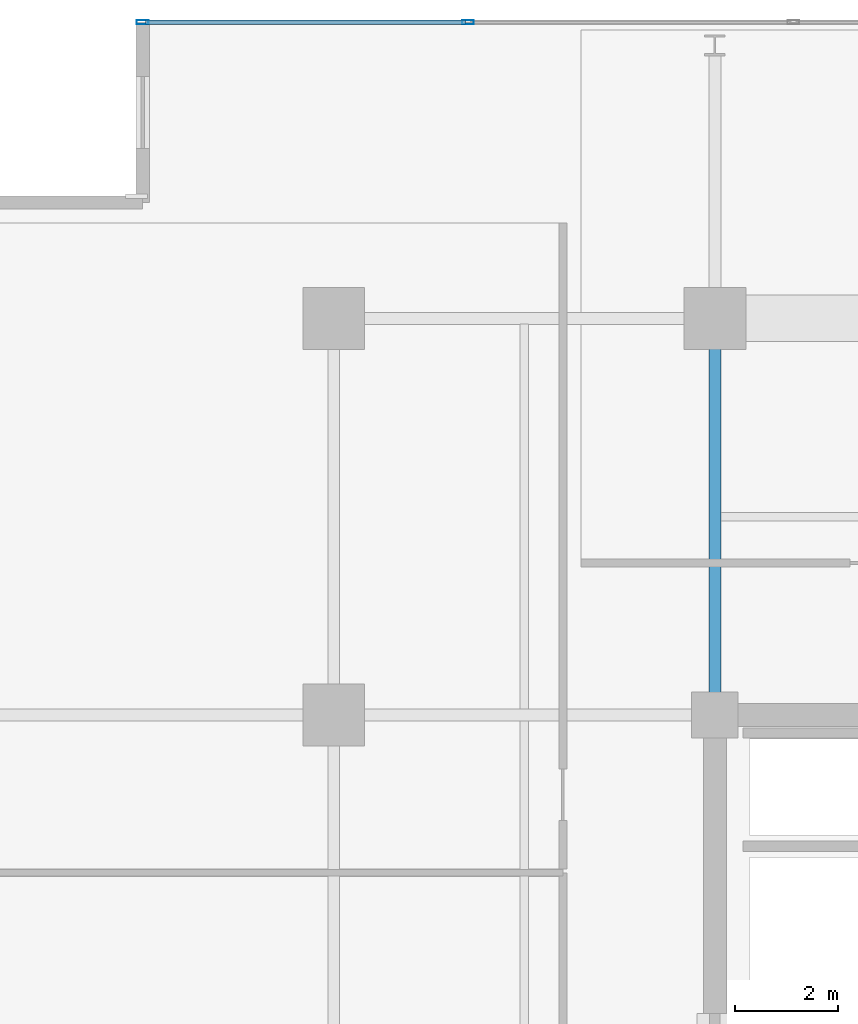
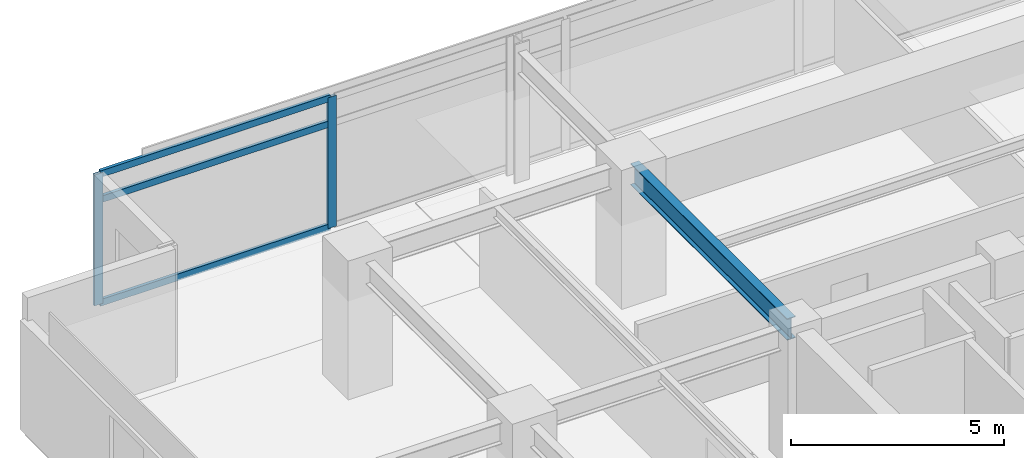
# One storey, part 9 of 24: 5 members, 1 beam, 1 element without a shape of its own.
"""IFC4 building model written with IfcOpenShell, lengths in metres."""

from ifc_helpers import new_model, si_unit, direction, frame, origin, origin_2d, place, context, subcontext, project, spatial, hollow_rectangle, i_section, extrude, material, material_profile, profile_set, type_object, element, aggregate, save


model = new_model("IFC4")

# Units and contexts
model_context = context("Model", 3, precision=1e-05, world=origin(), true_north=direction((0.0, 1.0)))
body_context = subcontext(model_context, "Body", "Model", "MODEL_VIEW")
ifc_project = project(units=[si_unit("LENGTHUNIT", "METRE"), si_unit("AREAUNIT", "SQUARE_METRE"), si_unit("VOLUMEUNIT", "CUBIC_METRE"), si_unit("PLANEANGLEUNIT", "RADIAN"), si_unit("MASSUNIT", "GRAM", prefix="KILO")], contexts=[model_context])

# Site, building, storey
site_placement = place(None, origin())
site = spatial("IfcSite", under=ifc_project, at=site_placement, CompositionType="ELEMENT")
building_placement = place(site_placement, origin())
building = spatial("IfcBuilding", under=site, at=building_placement, Name="Kovane Verandah Tower", CompositionType="ELEMENT")
storey_placement = place(building_placement, frame((0.0, 0.0, 271.199951171875)))
storey = spatial("IfcBuildingStorey", under=building, at=storey_placement, Name="L63", CompositionType="ELEMENT", Elevation=271.199951171875)

# Beam
ifc_material_1 = material(Name="Steel S355", Category="steel")
ifc_material_profile_1 = material_profile(ifc_material_1, i_section(OverallWidth=0.230224609375, OverallDepth=0.6171875, WebThickness=0.01318359375, FlangeThickness=0.022216796875, FilletRadius=0.0126953125, at=origin_2d()), Name="UB610x229x140")
ifc_profile_set_1 = profile_set([ifc_material_profile_1], Name="Steel S355")
beam_type = type_object("IfcBeamType", Name="BM-UB610x140", PredefinedType="BEAM", material=ifc_profile_set_1)
beam_placement = place(storey_placement, frame((29.0, 36.679931640625, 3.4765625), z_axis=(0.0, 1.0, 0.0), x_axis=(-1.0, 0.0, 0.0)))
element("IfcBeam", 1, at=beam_placement, inside=storey, type_object=beam_type, Name="L63 Primary Tower Girder G-N1", PredefinedType="BEAM", context=body_context, shape_type="SweptSolid", body=[
    extrude(i_section(OverallWidth=0.230224609375, OverallDepth=0.6171875, WebThickness=0.01318359375, FlangeThickness=0.022216796875, FilletRadius=0.0126953125, at=origin_2d()), origin(), (0.0, 0.0, 1.0), 7.340087890625),
])

# Curtain wall, members
ifc_material_2 = material(Name="Champagne Anodised Aluminium Frame with Low-E Clear Laminated Glass", Category="aluminium")
curtain_wall_type = type_object("IfcCurtainWallType", Name="CW-SYS-05-HIGH", PredefinedType="NOTDEFINED", material=ifc_material_2)
curtain_wall_placement = place(storey_placement, origin())
curtain_wall = element("IfcCurtainWall", 2, at=curtain_wall_placement, inside=storey, type_object=curtain_wall_type, Name="L63 N Unitised Curtain Wall", PredefinedType="NOTDEFINED")
ifc_material_3 = material(Name="Champagne Anodised Aluminium 6063-T6", Category="aluminium")
ifc_material_profile_2 = material_profile(ifc_material_3, hollow_rectangle(XDim=0.0849609375, YDim=0.22998046875, WallThickness=0.00390625, at=origin_2d()), Name="AL85x230x4")
ifc_profile_set_2 = profile_set([ifc_material_profile_2], Name="Champagne Anodised Aluminium 6063-T6")
member_type_1 = type_object("IfcMemberType", Name="CW-MUL-85x230", PredefinedType="MULLION", material=ifc_profile_set_2)
member_1_placement = place(storey_placement, frame((24.208984375, 49.94970703125, 0.02001953125), z_axis=(0.0, 0.0, 1.0), x_axis=(0.0, 1.0, 0.0)))
member_1 = element("IfcMember", 3, at=member_1_placement, type_object=member_type_1, Name="L63 N Unitised Curtain Wall Mullion 7", PredefinedType="MULLION", context=body_context, shape_type="SweptSolid", body=[
    extrude(hollow_rectangle(XDim=0.0849609375, YDim=0.22998046875, WallThickness=0.00390625, at=origin_2d()), origin(), (0.0, 0.0, 1.0), 3.7451171875),
])
member_2_placement = place(storey_placement, frame((17.892822265625, 49.94970703125, 0.02001953125), z_axis=(0.0, 0.0, 1.0), x_axis=(0.0, 1.0, 0.0)))
member_2 = element("IfcMember", 4, at=member_2_placement, type_object=member_type_1, Name="L63 N Unitised Curtain Wall Mullion 8", PredefinedType="MULLION", context=body_context, shape_type="SweptSolid", body=[
    extrude(hollow_rectangle(XDim=0.0849609375, YDim=0.22998046875, WallThickness=0.00390625, at=origin_2d()), origin(), (0.0, 0.0, 1.0), 3.7451171875),
])
ifc_material_profile_3 = material_profile(ifc_material_3, hollow_rectangle(XDim=0.0849609375, YDim=0.18994140625, WallThickness=0.00390625, at=origin_2d()), Name="AL85x190x4")
ifc_profile_set_3 = profile_set([ifc_material_profile_3], Name="Champagne Anodised Aluminium 6063-T6")
member_type_2 = type_object("IfcMemberType", Name="CW-TRN-85x190", PredefinedType="USERDEFINED", material=ifc_profile_set_3)
member_3_placement = place(storey_placement, frame((24.1591796875, 49.94970703125, 0.050048828125), z_axis=(-1.0, 0.0, 0.0), x_axis=(0.0, -1.0, 0.0)))
member_3 = element("IfcMember", 5, at=member_3_placement, type_object=member_type_2, Name="L63 N Unitised Curtain Wall Transom TB Bay 7", ObjectType="TRANSOM", PredefinedType="USERDEFINED", context=body_context, shape_type="SweptSolid", body=[
    extrude(hollow_rectangle(XDim=0.0849609375, YDim=0.18994140625, WallThickness=0.00390625, at=origin_2d()), origin(), (0.0, 0.0, 1.0), 6.21630859375),
])
member_4_placement = place(storey_placement, frame((24.1591796875, 49.94970703125, 3.005126953125), z_axis=(-1.0, 0.0, 0.0), x_axis=(0.0, -1.0, 0.0)))
member_4 = element("IfcMember", 6, at=member_4_placement, type_object=member_type_2, Name="L63 N Unitised Curtain Wall Transom TM Bay 7", ObjectType="TRANSOM", PredefinedType="USERDEFINED", context=body_context, shape_type="SweptSolid", body=[
    extrude(hollow_rectangle(XDim=0.0849609375, YDim=0.18994140625, WallThickness=0.00390625, at=origin_2d()), origin(), (0.0, 0.0, 1.0), 6.21630859375),
])
member_5_placement = place(storey_placement, frame((24.1591796875, 49.94970703125, 3.735107421875), z_axis=(-1.0, 0.0, 0.0), x_axis=(0.0, -1.0, 0.0)))
member_5 = element("IfcMember", 7, at=member_5_placement, type_object=member_type_2, Name="L63 N Unitised Curtain Wall Transom TT Bay 7", ObjectType="TRANSOM", PredefinedType="USERDEFINED", context=body_context, shape_type="SweptSolid", body=[
    extrude(hollow_rectangle(XDim=0.0849609375, YDim=0.18994140625, WallThickness=0.00390625, at=origin_2d()), origin(), (0.0, 0.0, 1.0), 6.21630859375),
])
aggregate(curtain_wall, [member_1, member_2, member_3, member_4, member_5])

save(model, "model.ifc")
